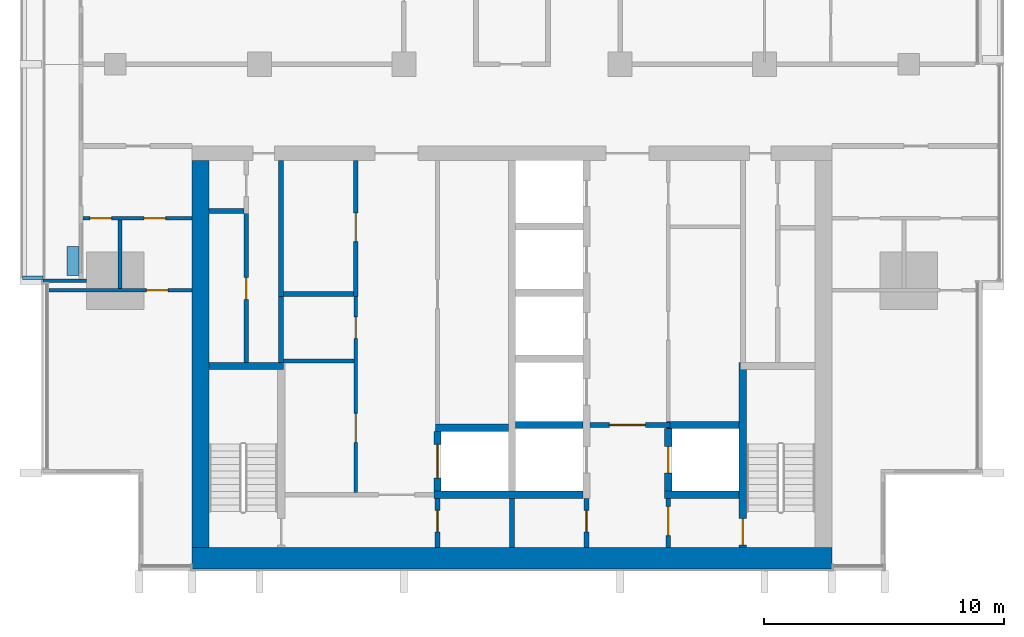
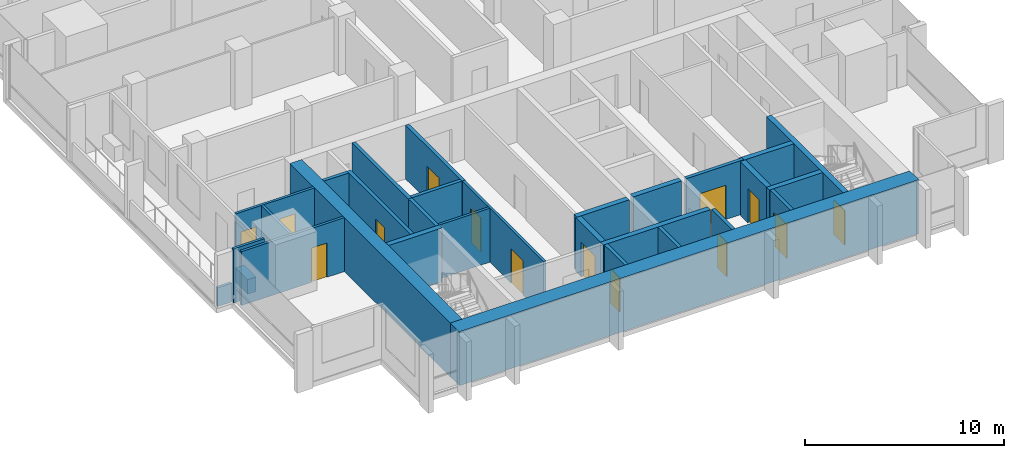
# One storey, part 7 of 16: 30 walls, 14 doors, 14 openings.
"""IFC4 building model written with IfcOpenShell, lengths in metres."""

from ifc_helpers import new_model, si_unit, direction, frame, frame_2d, origin, place, context, subcontext, project, spatial, rectangle, extrude, material, layer, layer_set, type_object, element, fill, save


model = new_model("IFC4")

# Units and contexts
model_context = context("Model", 3, precision=1e-05, world=origin(), true_north=direction((0.0, 1.0)))
body_context = subcontext(model_context, "Body", "Model", "MODEL_VIEW")
ifc_project = project(units=[si_unit("LENGTHUNIT", "METRE"), si_unit("AREAUNIT", "SQUARE_METRE"), si_unit("VOLUMEUNIT", "CUBIC_METRE"), si_unit("PLANEANGLEUNIT", "RADIAN"), si_unit("MASSUNIT", "GRAM", prefix="KILO")], contexts=[model_context])

# Site, building, storey
site_placement = place(None, origin())
site = spatial("IfcSite", under=ifc_project, at=site_placement, CompositionType="ELEMENT")
building_placement = place(site_placement, origin())
building = spatial("IfcBuilding", under=site, at=building_placement, Name="Finial Court Residences", CompositionType="ELEMENT")
storey_placement = place(building_placement, frame((0.0, 0.0, 188.89990234375)))
storey = spatial("IfcBuildingStorey", under=building, at=storey_placement, Name="L47", CompositionType="ELEMENT", Elevation=188.89990234375)

# Walls
ifc_material_1 = material(Name="Concrete C70/85", Category="concrete")
ifc_layer_1 = layer(ifc_material_1, 0.699951171875)
ifc_layer_set_1 = layer_set([ifc_layer_1], Name="Core outer wall 700 Concrete C70/85")
wall_type_1 = type_object("IfcWallType", Name="Core outer wall 700 Concrete C70/85", PredefinedType="SHEAR", material=ifc_layer_set_1)
wall_1_placement = place(storey_placement, frame((-12.949951171875, -24.60009765625, 0.0), z_axis=(0.0, 0.0, 1.0), x_axis=(0.0, 1.0, 0.0)))
element("IfcWall", 1, at=wall_1_placement, inside=storey, type_object=wall_type_1, Name="Core outer wall L47-03", PredefinedType="SHEAR", context=body_context, shape_type="SweptSolid", body=[
    extrude(rectangle(XDim=16.10009765625, YDim=0.699951171875, at=frame_2d((8.050048828125, 0.0))), origin(), (0.0, 0.0, 1.0), 3.300048828125),
])
ifc_material_2 = material(Name="Fire-rated gypsum board partition")
ifc_layer_2 = layer(ifc_material_2, 0.14990234375)
ifc_layer_set_2 = layer_set([ifc_layer_2], Name="Core room partition 150 EI 60")
wall_type_2 = type_object("IfcWallType", Name="Core room partition 150 EI 60", PredefinedType="PARTITIONING", material=ifc_layer_set_2)
wall_2_placement = place(storey_placement, frame((-9.5, -16.840087890625, 0.0), z_axis=(0.0, 0.0, 1.0), x_axis=(1.0, 0.0, 0.0)))
element("IfcWall", 2, at=wall_2_placement, inside=storey, type_object=wall_type_2, Name="Core partition L47-10", PredefinedType="PARTITIONING", context=body_context, shape_type="SweptSolid", body=[
    extrude(rectangle(XDim=2.925048828125, YDim=0.14990234375, at=frame_2d((1.46240234375, 0.0))), origin(), (0.0, 0.0, 1.0), 3.300048828125),
])

# Wall, openings, doors
wall_3_placement = place(storey_placement, frame((-6.5, -22.300048828125, 0.0), z_axis=(0.0, 0.0, 1.0), x_axis=(0.0, 1.0, 0.0)))
wall_3 = element("IfcWall", 3, at=wall_3_placement, inside=storey, type_object=wall_type_2, Name="Core partition L47-23", PredefinedType="PARTITIONING", context=body_context, shape_type="SweptSolid", body=[
    extrude(rectangle(XDim=8.14013671875, YDim=0.14990234375, at=frame_2d((4.070068359375, 0.0))), origin(), (0.0, 0.0, 1.0), 3.300048828125),
])
opening_1_placement = place(wall_3_placement, frame((2.080078125, 0.0, 0.0)))
opening_1 = element("IfcOpeningElement", 4, at=opening_1_placement, cuts=wall_3, Name="Opening L47-C15", PredefinedType="OPENING", context=body_context, shape_type="SweptSolid", body=[
    extrude(rectangle(XDim=1.199951171875, YDim=2.10009765625, at=frame_2d((0.60009765625, 1.050048828125))), frame((0.0, 0.0849609375, 0.0), z_axis=(0.0, -1.0, 0.0), x_axis=(1.0, 0.0, 0.0)), (0.0, 0.0, 1.0), 0.169921875),
])
opening_2_placement = place(wall_3_placement, frame((6.39990234375, 0.0, 0.0)))
opening_2 = element("IfcOpeningElement", 5, at=opening_2_placement, cuts=wall_3, Name="Opening L47-C16", PredefinedType="OPENING", context=body_context, shape_type="SweptSolid", body=[
    extrude(rectangle(XDim=0.89990234375, YDim=2.10009765625, at=frame_2d((0.449951171875, 1.050048828125))), frame((0.0, 0.0849609375, 0.0), z_axis=(0.0, -1.0, 0.0), x_axis=(1.0, 0.0, 0.0)), (0.0, 0.0, 1.0), 0.169921875),
])
ifc_material_3 = material(Name="Steel fire door", Category="steel")
door_type_1 = type_object("IfcDoorType", Name="Core room door 1200 x 2100 EI 60", OperationType="NOTDEFINED", PredefinedType="DOOR", material=ifc_material_3)
door_1_placement = place(opening_1_placement, origin())
door_1 = element("IfcDoor", 6, at=door_1_placement, inside=storey, type_object=door_type_1, Name="Core room door L47-C15", OperationType="SINGLE_SWING_LEFT", OverallHeight=2.10009765625, OverallWidth=1.199951171875, PredefinedType="DOOR", context=body_context, shape_type="SweptSolid", body=[
    extrude(rectangle(XDim=1.199951171875, YDim=2.10009765625, at=frame_2d((0.60009765625, 1.050048828125))), frame((0.0, 0.02490234375, 0.0), z_axis=(0.0, -1.0, 0.0), x_axis=(1.0, 0.0, 0.0)), (0.0, 0.0, 1.0), 0.050048828125),
])
fill(opening_1, door_1)
door_type_2 = type_object("IfcDoorType", Name="Core room door 900 x 2100 EI 60", OperationType="NOTDEFINED", PredefinedType="DOOR", material=ifc_material_3)
door_2_placement = place(opening_2_placement, origin())
door_2 = element("IfcDoor", 7, at=door_2_placement, inside=storey, type_object=door_type_2, Name="Core room door L47-C16", OperationType="SINGLE_SWING_RIGHT", OverallHeight=2.10009765625, OverallWidth=0.89990234375, PredefinedType="DOOR", context=body_context, shape_type="SweptSolid", body=[
    extrude(rectangle(XDim=0.89990234375, YDim=2.10009765625, at=frame_2d((0.449951171875, 1.050048828125))), frame((0.0, 0.02490234375, 0.0), z_axis=(0.0, -1.0, 0.0), x_axis=(1.0, 0.0, 0.0)), (0.0, 0.0, 1.0), 0.050048828125),
])
fill(opening_2, door_2)

# Wall
ifc_layer_3 = layer(ifc_material_1, 0.89990234375)
ifc_layer_set_3 = layer_set([ifc_layer_3], Name="Core south facade wall 900 Concrete C70/85")
wall_type_3 = type_object("IfcWallType", Name="Core south facade wall 900 Concrete C70/85", PredefinedType="SHEAR", material=ifc_layer_set_3)
wall_4_placement = place(storey_placement, frame((-13.300048828125, -25.050048828125, 0.0), z_axis=(0.0, 0.0, 1.0), x_axis=(1.0, 0.0, 0.0)))
element("IfcWall", 8, at=wall_4_placement, inside=storey, type_object=wall_type_3, Name="Core outer wall L47-01", PredefinedType="SHEAR", context=body_context, shape_type="SweptSolid", body=[
    extrude(rectangle(XDim=26.60009765625, YDim=0.89990234375, at=frame_2d((13.300048828125, 0.0))), origin(), (0.0, 0.0, 1.0), 3.300048828125),
])

# Wall, opening, door
ifc_layer_4 = layer(ifc_material_2, 0.199951171875)
ifc_layer_set_4 = layer_set([ifc_layer_4], Name="Firefighting lobby wall 200 EI 120")
wall_type_4 = type_object("IfcWallType", Name="Firefighting lobby wall 200 EI 120", PredefinedType="PARTITIONING", material=ifc_layer_set_4)
wall_5_placement = place(storey_placement, frame((6.574951171875, -19.5, 0.0), z_axis=(0.0, 0.0, 1.0), x_axis=(-1.0, 0.0, 0.0)))
wall_5 = element("IfcWall", 9, at=wall_5_placement, inside=storey, type_object=wall_type_4, Name="Core partition L47-06", PredefinedType="PARTITIONING", context=body_context, shape_type="SweptSolid", body=[
    extrude(rectangle(XDim=3.324951171875, YDim=0.199951171875, at=frame_2d((1.66259765625, 0.0))), origin(), (0.0, 0.0, 1.0), 3.300048828125),
])
opening_3_placement = place(wall_5_placement, frame((1.02490234375, 0.0, 0.0)))
opening_3 = element("IfcOpeningElement", 10, at=opening_3_placement, cuts=wall_5, Name="Opening L47-C02", PredefinedType="OPENING", context=body_context, shape_type="SweptSolid", body=[
    extrude(rectangle(XDim=1.5, YDim=2.10009765625, at=frame_2d((0.75, 1.050048828125))), frame((0.0, 0.10986328125, 0.0), z_axis=(0.0, -1.0, 0.0), x_axis=(1.0, 0.0, 0.0)), (0.0, 0.0, 1.0), 0.219970703125),
])
door_type_3 = type_object("IfcDoorType", Name="Firefighting lobby door 1500 x 2100 EI 90", OperationType="DOUBLE_DOOR_SINGLE_SWING", PredefinedType="DOOR", material=ifc_material_3)
door_3_placement = place(opening_3_placement, origin())
door_3 = element("IfcDoor", 11, at=door_3_placement, inside=storey, type_object=door_type_3, Name="Firefighting lobby door L47-C02", OperationType="DOUBLE_DOOR_SINGLE_SWING", OverallHeight=2.10009765625, OverallWidth=1.5, PredefinedType="DOOR", context=body_context, shape_type="SweptSolid", body=[
    extrude(rectangle(XDim=1.5, YDim=2.10009765625, at=frame_2d((0.75, 1.050048828125))), frame((0.0, 0.02490234375, 0.0), z_axis=(0.0, -1.0, 0.0), x_axis=(1.0, 0.0, 0.0)), (0.0, 0.0, 1.0), 0.050048828125),
])
fill(opening_3, door_3)

wall_6_placement = place(storey_placement, frame((3.10009765625, -24.60009765625, 0.0), z_axis=(0.0, 0.0, 1.0), x_axis=(0.0, 1.0, 0.0)))
wall_6 = element("IfcWall", 12, at=wall_6_placement, inside=storey, type_object=wall_type_4, Name="Core partition L47-30", PredefinedType="PARTITIONING", context=body_context, shape_type="SweptSolid", body=[
    extrude(rectangle(XDim=2.050048828125, YDim=0.199951171875, at=frame_2d((1.02490234375, 0.0))), origin(), (0.0, 0.0, 1.0), 3.300048828125),
])
opening_4_placement = place(wall_6_placement, frame((0.64990234375, 0.0, 0.0)))
opening_4 = element("IfcOpeningElement", 13, at=opening_4_placement, cuts=wall_6, Name="Opening L47-C06", PredefinedType="OPENING", context=body_context, shape_type="SweptSolid", body=[
    extrude(rectangle(XDim=0.89990234375, YDim=2.10009765625, at=frame_2d((0.449951171875, 1.050048828125))), frame((0.0, 0.10986328125, 0.0), z_axis=(0.0, -1.0, 0.0), x_axis=(1.0, 0.0, 0.0)), (0.0, 0.0, 1.0), 0.219970703125),
])
door_type_4 = type_object("IfcDoorType", Name="Riser room door 900 x 2100 EI 90", OperationType="NOTDEFINED", PredefinedType="DOOR", material=ifc_material_3)
door_4_placement = place(opening_4_placement, origin())
door_4 = element("IfcDoor", 14, at=door_4_placement, inside=storey, type_object=door_type_4, Name="Riser room door L47-C06", OperationType="SINGLE_SWING_LEFT", OverallHeight=2.10009765625, OverallWidth=0.89990234375, PredefinedType="DOOR", context=body_context, shape_type="SweptSolid", body=[
    extrude(rectangle(XDim=0.89990234375, YDim=2.10009765625, at=frame_2d((0.449951171875, 1.050048828125))), frame((0.0, 0.02490234375, 0.0), z_axis=(0.0, -1.0, 0.0), x_axis=(1.0, 0.0, 0.0)), (0.0, 0.0, 1.0), 0.050048828125),
])
fill(opening_4, door_4)

wall_7_placement = place(storey_placement, frame((6.5, -22.550048828125, 0.0), z_axis=(0.0, 0.0, 1.0), x_axis=(0.0, -1.0, 0.0)))
wall_7 = element("IfcWall", 15, at=wall_7_placement, inside=storey, type_object=wall_type_4, Name="Core partition L47-32", PredefinedType="PARTITIONING", context=body_context, shape_type="SweptSolid", body=[
    extrude(rectangle(XDim=2.050048828125, YDim=0.199951171875, at=frame_2d((1.02490234375, 0.0))), origin(), (0.0, 0.0, 1.0), 3.300048828125),
])
opening_5_placement = place(wall_7_placement, frame((0.35009765625, 0.0, 0.0)))
opening_5 = element("IfcOpeningElement", 16, at=opening_5_placement, cuts=wall_7, Name="Opening L47-C01", PredefinedType="OPENING", context=body_context, shape_type="SweptSolid", body=[
    extrude(rectangle(XDim=1.199951171875, YDim=2.10009765625, at=frame_2d((0.60009765625, 1.050048828125))), frame((0.0, 0.10986328125, 0.0), z_axis=(0.0, -1.0, 0.0), x_axis=(1.0, 0.0, 0.0)), (0.0, 0.0, 1.0), 0.219970703125),
])
door_type_5 = type_object("IfcDoorType", Name="Firefighting lobby door 1200 x 2100 EI 90", OperationType="NOTDEFINED", PredefinedType="DOOR", material=ifc_material_3)
door_5_placement = place(opening_5_placement, origin())
door_5 = element("IfcDoor", 17, at=door_5_placement, inside=storey, type_object=door_type_5, Name="Firefighting lobby door L47-C01", OperationType="SINGLE_SWING_RIGHT", OverallHeight=2.10009765625, OverallWidth=1.199951171875, PredefinedType="DOOR", context=body_context, shape_type="SweptSolid", body=[
    extrude(rectangle(XDim=1.199951171875, YDim=2.10009765625, at=frame_2d((0.60009765625, 1.050048828125))), frame((0.0, 0.02490234375, 0.0), z_axis=(0.0, -1.0, 0.0), x_axis=(1.0, 0.0, 0.0)), (0.0, 0.0, 1.0), 0.050048828125),
])
fill(opening_5, door_5)

ifc_material_4 = material(Name="Moisture-resistant gypsum board")
ifc_layer_5 = layer(ifc_material_4, 0.012451171875)
ifc_material_5 = material(Name="Mineral wool in light-gauge frame")
ifc_layer_6 = layer(ifc_material_5, 0.125)
ifc_layer_7 = layer(ifc_material_4, 0.012451171875)
ifc_layer_set_5 = layer_set([ifc_layer_5, ifc_layer_6, ifc_layer_7], Name="Gypsum board wet-area partition 150")
wall_type_5 = type_object("IfcWallType", Name="Gypsum board wet-area partition 150", PredefinedType="PARTITIONING", material=ifc_layer_set_5)
wall_8_placement = place(storey_placement, frame((-19.262451171875, -13.89990234375, 0.0), z_axis=(0.0, 0.0, 1.0), x_axis=(1.0, 0.0, 0.0)))
wall_8 = element("IfcWall", 18, at=wall_8_placement, inside=storey, type_object=wall_type_5, Name="Partition L47-000", PredefinedType="PARTITIONING", context=body_context, shape_type="SweptSolid", body=[
    extrude(rectangle(XDim=5.96240234375, YDim=0.14990234375, at=frame_2d((2.981201171875, 0.0))), origin(), (0.0, 0.0, 1.0), 3.300048828125),
])
opening_6_placement = place(wall_8_placement, frame((4.06201171875, 0.0, 0.0)))
opening_6 = element("IfcOpeningElement", 19, at=opening_6_placement, cuts=wall_8, Name="Opening L47-D001", PredefinedType="OPENING", context=body_context, shape_type="SweptSolid", body=[
    extrude(rectangle(XDim=0.89990234375, YDim=2.10009765625, at=frame_2d((0.449951171875, 1.050048828125))), frame((0.0, 0.0849609375, 0.0), z_axis=(0.0, -1.0, 0.0), x_axis=(1.0, 0.0, 0.0)), (0.0, 0.0, 1.0), 0.169921875),
])
ifc_material_6 = material(Name="Timber door leaf in timber frame", Category="wood")
door_type_6 = type_object("IfcDoorType", Name="Door set 900 x 2100", OperationType="SINGLE_SWING_LEFT", PredefinedType="DOOR", material=ifc_material_6)
door_6_placement = place(opening_6_placement, origin())
door_6 = element("IfcDoor", 20, at=door_6_placement, inside=storey, type_object=door_type_6, Name="Door L47-D001", OperationType="SINGLE_SWING_RIGHT", OverallHeight=2.10009765625, OverallWidth=0.89990234375, PredefinedType="DOOR", context=body_context, shape_type="SweptSolid", body=[
    extrude(rectangle(XDim=0.89990234375, YDim=2.10009765625, at=frame_2d((0.449951171875, 1.050048828125))), frame((0.0, 0.02490234375, 0.0), z_axis=(0.0, -1.0, 0.0), x_axis=(1.0, 0.0, 0.0)), (0.0, 0.0, 1.0), 0.050048828125),
])
fill(opening_6, door_6)

# Wall, openings, doors
wall_9_placement = place(storey_placement, frame((-17.85009765625, -10.89990234375, 0.0), z_axis=(0.0, 0.0, 1.0), x_axis=(1.0, 0.0, 0.0)))
wall_9 = element("IfcWall", 21, at=wall_9_placement, inside=storey, type_object=wall_type_5, Name="Partition L47-002", PredefinedType="PARTITIONING", context=body_context, shape_type="SweptSolid", body=[
    extrude(rectangle(XDim=4.550048828125, YDim=0.14990234375, at=frame_2d((2.27490234375, 0.0))), origin(), (0.0, 0.0, 1.0), 3.300048828125),
])
opening_7_placement = place(wall_9_placement, frame((0.300048828125, 0.0, 0.0)))
opening_7 = element("IfcOpeningElement", 22, at=opening_7_placement, cuts=wall_9, Name="Opening L47-D003", PredefinedType="OPENING", context=body_context, shape_type="SweptSolid", body=[
    extrude(rectangle(XDim=0.89990234375, YDim=2.10009765625, at=frame_2d((0.449951171875, 1.050048828125))), frame((0.0, 0.0849609375, 0.0), z_axis=(0.0, -1.0, 0.0), x_axis=(1.0, 0.0, 0.0)), (0.0, 0.0, 1.0), 0.169921875),
])
opening_8_placement = place(wall_9_placement, frame((2.550048828125, 0.0, 0.0)))
opening_8 = element("IfcOpeningElement", 23, at=opening_8_placement, cuts=wall_9, Name="Opening L47-D004", PredefinedType="OPENING", context=body_context, shape_type="SweptSolid", body=[
    extrude(rectangle(XDim=0.89990234375, YDim=2.10009765625, at=frame_2d((0.449951171875, 1.050048828125))), frame((0.0, 0.0849609375, 0.0), z_axis=(0.0, -1.0, 0.0), x_axis=(1.0, 0.0, 0.0)), (0.0, 0.0, 1.0), 0.169921875),
])
door_7_placement = place(opening_7_placement, origin())
door_7 = element("IfcDoor", 24, at=door_7_placement, inside=storey, type_object=door_type_6, Name="Door L47-D003", OperationType="SINGLE_SWING_LEFT", OverallHeight=2.10009765625, OverallWidth=0.89990234375, PredefinedType="DOOR", context=body_context, shape_type="SweptSolid", body=[
    extrude(rectangle(XDim=0.89990234375, YDim=2.10009765625, at=frame_2d((0.449951171875, 1.050048828125))), frame((0.0, 0.02490234375, 0.0), z_axis=(0.0, -1.0, 0.0), x_axis=(1.0, 0.0, 0.0)), (0.0, 0.0, 1.0), 0.050048828125),
])
fill(opening_7, door_7)
door_8_placement = place(opening_8_placement, origin())
door_8 = element("IfcDoor", 25, at=door_8_placement, inside=storey, type_object=door_type_6, Name="Door L47-D004", OperationType="SINGLE_SWING_RIGHT", OverallHeight=2.10009765625, OverallWidth=0.89990234375, PredefinedType="DOOR", context=body_context, shape_type="SweptSolid", body=[
    extrude(rectangle(XDim=0.89990234375, YDim=2.10009765625, at=frame_2d((0.449951171875, 1.050048828125))), frame((0.0, 0.02490234375, 0.0), z_axis=(0.0, -1.0, 0.0), x_axis=(1.0, 0.0, 0.0)), (0.0, 0.0, 1.0), 0.050048828125),
])
fill(opening_8, door_8)

# Walls
wall_10_placement = place(storey_placement, frame((-16.300048828125, -13.824951171875, 0.0), z_axis=(0.0, 0.0, 1.0), x_axis=(0.0, 1.0, 0.0)))
element("IfcWall", 26, at=wall_10_placement, inside=storey, type_object=wall_type_5, Name="Partition L47-026", PredefinedType="PARTITIONING", context=body_context, shape_type="SweptSolid", body=[
    extrude(rectangle(XDim=2.849853515625, YDim=0.14990234375, at=frame_2d((1.4248046875, 0.0))), origin(), (0.0, 0.0, 1.0), 3.300048828125),
])
ifc_material_7 = material(Name="Concrete C35/45", Category="concrete")
ifc_layer_8 = layer(ifc_material_7, 0.14990234375)
ifc_layer_set_6 = layer_set([ifc_layer_8], Name="Ledge parapet, Concrete C35/45 150")
wall_type_6 = type_object("IfcWallType", Name="Ledge parapet, Concrete C35/45 150", PredefinedType="PARAPET", material=ifc_layer_set_6)
wall_11_placement = place(storey_placement, frame((-19.510009765625, -13.375, 0.0), z_axis=(0.0, 0.0, 1.0), x_axis=(-1.0, 0.0, 0.0)))
element("IfcWall", 27, at=wall_11_placement, inside=storey, type_object=wall_type_6, Name="E-L47-LED1-P1", PredefinedType="PARAPET", context=body_context, shape_type="SweptSolid", body=[
    extrude(rectangle(XDim=0.840087890625, YDim=0.14990234375, at=frame_2d((0.419921875, 0.0))), origin(), (0.0, 0.0, 1.0), 1.150146484375),
])
ifc_layer_9 = layer(ifc_material_1, 0.300048828125)
ifc_layer_set_7 = layer_set([ifc_layer_9], Name="Lift shaft and stair wall 300 Concrete C70/85")
wall_type_7 = type_object("IfcWallType", Name="Lift shaft and stair wall 300 Concrete C70/85", PredefinedType="SHEAR", material=ifc_layer_set_7)
wall_12_placement = place(storey_placement, frame((-3.25, -22.39990234375, 0.0), z_axis=(0.0, 0.0, 1.0), x_axis=(1.0, 0.0, 0.0)))
element("IfcWall", 28, at=wall_12_placement, inside=storey, type_object=wall_type_7, Name="Core wall L47-02", PredefinedType="SHEAR", context=body_context, shape_type="SweptSolid", body=[
    extrude(rectangle(XDim=6.199951171875, YDim=0.300048828125, at=frame_2d((3.10009765625, 0.0))), origin(), (0.0, 0.0, 1.0), 3.300048828125),
])
wall_13_placement = place(storey_placement, frame((6.35009765625, -22.39990234375, 0.0), z_axis=(0.0, 0.0, 1.0), x_axis=(1.0, 0.0, 0.0)))
element("IfcWall", 29, at=wall_13_placement, inside=storey, type_object=wall_type_7, Name="Core wall L47-03", PredefinedType="SHEAR", context=body_context, shape_type="SweptSolid", body=[
    extrude(rectangle(XDim=3.099853515625, YDim=0.300048828125, at=frame_2d((1.5498046875, 0.0))), origin(), (0.0, 0.0, 1.0), 3.300048828125),
])
wall_14_placement = place(storey_placement, frame((-3.175048828125, -19.6201171875, 0.0), z_axis=(0.0, 0.0, 1.0), x_axis=(1.0, 0.0, 0.0)))
element("IfcWall", 30, at=wall_14_placement, inside=storey, type_object=wall_type_7, Name="Core wall L47-04", PredefinedType="SHEAR", context=body_context, shape_type="SweptSolid", body=[
    extrude(rectangle(XDim=3.025146484375, YDim=0.300048828125, at=frame_2d((1.5126953125, 0.0))), origin(), (0.0, 0.0, 1.0), 3.300048828125),
])
wall_15_placement = place(storey_placement, frame((0.14990234375, -19.5, 0.0), z_axis=(0.0, 0.0, 1.0), x_axis=(1.0, 0.0, 0.0)))
element("IfcWall", 31, at=wall_15_placement, inside=storey, type_object=wall_type_7, Name="Core wall L47-05", PredefinedType="SHEAR", context=body_context, shape_type="SweptSolid", body=[
    extrude(rectangle(XDim=2.800048828125, YDim=0.300048828125, at=frame_2d((1.39990234375, 0.0))), origin(), (0.0, 0.0, 1.0), 3.300048828125),
])
wall_16_placement = place(storey_placement, frame((6.425048828125, -19.5, 0.0), z_axis=(0.0, 0.0, 1.0), x_axis=(1.0, 0.0, 0.0)))
element("IfcWall", 32, at=wall_16_placement, inside=storey, type_object=wall_type_7, Name="Core wall L47-07", PredefinedType="SHEAR", context=body_context, shape_type="SweptSolid", body=[
    extrude(rectangle(XDim=3.02490234375, YDim=0.300048828125, at=frame_2d((1.512451171875, 0.0))), origin(), (0.0, 0.0, 1.0), 3.300048828125),
])
wall_17_placement = place(storey_placement, frame((-12.60009765625, -17.050048828125, 0.0), z_axis=(0.0, 0.0, 1.0), x_axis=(1.0, 0.0, 0.0)))
element("IfcWall", 33, at=wall_17_placement, inside=storey, type_object=wall_type_7, Name="Core wall L47-08", PredefinedType="SHEAR", context=body_context, shape_type="SweptSolid", body=[
    extrude(rectangle(XDim=3.10009765625, YDim=0.300048828125, at=frame_2d((1.550048828125, 0.0))), origin(), (0.0, 0.0, 1.0), 3.300048828125),
])

# Wall, opening, door
wall_18_placement = place(storey_placement, frame((-3.10009765625, -22.25, 0.0), z_axis=(0.0, 0.0, 1.0), x_axis=(0.0, 1.0, 0.0)))
wall_18 = element("IfcWall", 34, at=wall_18_placement, inside=storey, type_object=wall_type_7, Name="Core wall L47-26", PredefinedType="SHEAR", context=body_context, shape_type="SweptSolid", body=[
    extrude(rectangle(XDim=2.47998046875, YDim=0.300048828125, at=frame_2d((1.239990234375, 0.0))), origin(), (0.0, 0.0, 1.0), 3.300048828125),
])
opening_9_placement = place(wall_18_placement, frame((0.5400390625, 0.0, 0.0)))
opening_9 = element("IfcOpeningElement", 35, at=opening_9_placement, cuts=wall_18, Name="Opening L47-LD07", PredefinedType="OPENING", context=body_context, shape_type="SweptSolid", body=[
    extrude(rectangle(XDim=1.39990234375, YDim=2.10009765625, at=frame_2d((0.699951171875, 1.050048828125))), frame((0.0, 0.159912109375, 0.0), z_axis=(0.0, -1.0, 0.0), x_axis=(1.0, 0.0, 0.0)), (0.0, 0.0, 1.0), 0.320068359375),
])
ifc_material_8 = material(Name="Stainless steel lift door", Category="steel")
door_type_7 = type_object("IfcDoorType", Name="Lift landing door 1400 x 2100 EI 90", OperationType="DOUBLE_DOOR_SLIDING", PredefinedType="DOOR", material=ifc_material_8)
door_9_placement = place(opening_9_placement, origin())
door_9 = element("IfcDoor", 36, at=door_9_placement, inside=storey, type_object=door_type_7, Name="Lift landing door SV1 L47", OperationType="DOUBLE_DOOR_SLIDING", OverallHeight=2.10009765625, OverallWidth=1.39990234375, PredefinedType="DOOR", context=body_context, shape_type="SweptSolid", body=[
    extrude(rectangle(XDim=1.39990234375, YDim=2.10009765625, at=frame_2d((0.699951171875, 1.050048828125))), frame((0.0, 0.02490234375, 0.0), z_axis=(0.0, -1.0, 0.0), x_axis=(1.0, 0.0, 0.0)), (0.0, 0.0, 1.0), 0.050048828125),
])
fill(opening_9, door_9)

wall_19_placement = place(storey_placement, frame((6.5, -22.25, 0.0), z_axis=(0.0, 0.0, 1.0), x_axis=(0.0, 1.0, 0.0)))
wall_19 = element("IfcWall", 37, at=wall_19_placement, inside=storey, type_object=wall_type_7, Name="Core wall L47-33", PredefinedType="SHEAR", context=body_context, shape_type="SweptSolid", body=[
    extrude(rectangle(XDim=2.60009765625, YDim=0.300048828125, at=frame_2d((1.300048828125, 0.0))), origin(), (0.0, 0.0, 1.0), 3.300048828125),
])
opening_10_placement = place(wall_19_placement, frame((0.75, 0.0, 0.0)))
opening_10 = element("IfcOpeningElement", 38, at=opening_10_placement, cuts=wall_19, Name="Opening L47-LD02", PredefinedType="OPENING", context=body_context, shape_type="SweptSolid", body=[
    extrude(rectangle(XDim=1.10009765625, YDim=2.10009765625, at=frame_2d((0.550048828125, 1.050048828125))), frame((0.0, 0.159912109375, 0.0), z_axis=(0.0, -1.0, 0.0), x_axis=(1.0, 0.0, 0.0)), (0.0, 0.0, 1.0), 0.320068359375),
])
door_type_8 = type_object("IfcDoorType", Name="Lift landing door 1100 x 2100 EI 90", OperationType="DOUBLE_DOOR_SLIDING", PredefinedType="DOOR", material=ifc_material_8)
door_10_placement = place(opening_10_placement, origin())
door_10 = element("IfcDoor", 39, at=door_10_placement, inside=storey, type_object=door_type_8, Name="Lift landing door FF2 L47", OperationType="DOUBLE_DOOR_SLIDING", OverallHeight=2.10009765625, OverallWidth=1.10009765625, PredefinedType="DOOR", context=body_context, shape_type="SweptSolid", body=[
    extrude(rectangle(XDim=1.10009765625, YDim=2.10009765625, at=frame_2d((0.550048828125, 1.050048828125))), frame((0.0, 0.02490234375, 0.0), z_axis=(0.0, -1.0, 0.0), x_axis=(1.0, 0.0, 0.0)), (0.0, 0.0, 1.0), 0.050048828125),
])
fill(opening_10, door_10)

wall_20_placement = place(storey_placement, frame((9.60009765625, -16.89990234375, 0.0), z_axis=(0.0, 0.0, 1.0), x_axis=(0.0, -1.0, 0.0)))
wall_20 = element("IfcWall", 40, at=wall_20_placement, inside=storey, type_object=wall_type_7, Name="Core wall L47-35", PredefinedType="SHEAR", context=body_context, shape_type="SweptSolid", body=[
    extrude(rectangle(XDim=7.7001953125, YDim=0.300048828125, at=frame_2d((3.85009765625, 0.0))), origin(), (0.0, 0.0, 1.0), 3.300048828125),
])
opening_11_placement = place(wall_20_placement, frame((6.5, 0.0, 0.0)))
opening_11 = element("IfcOpeningElement", 41, at=opening_11_placement, cuts=wall_20, Name="Opening L47-C21", PredefinedType="OPENING", context=body_context, shape_type="SweptSolid", body=[
    extrude(rectangle(XDim=1.10009765625, YDim=2.10009765625, at=frame_2d((0.550048828125, 1.050048828125))), frame((0.0, 0.159912109375, 0.0), z_axis=(0.0, -1.0, 0.0), x_axis=(1.0, 0.0, 0.0)), (0.0, 0.0, 1.0), 0.320068359375),
])
door_type_9 = type_object("IfcDoorType", Name="Stair door 1100 x 2100 EI 90", OperationType="NOTDEFINED", PredefinedType="DOOR", material=ifc_material_3)
door_11_placement = place(opening_11_placement, origin())
door_11 = element("IfcDoor", 42, at=door_11_placement, inside=storey, type_object=door_type_9, Name="Stair door L47-C21", OperationType="SINGLE_SWING_RIGHT", OverallHeight=2.10009765625, OverallWidth=1.10009765625, PredefinedType="DOOR", context=body_context, shape_type="SweptSolid", body=[
    extrude(rectangle(XDim=1.10009765625, YDim=2.10009765625, at=frame_2d((0.550048828125, 1.050048828125))), frame((0.0, 0.02490234375, 0.0), z_axis=(0.0, -1.0, 0.0), x_axis=(1.0, 0.0, 0.0)), (0.0, 0.0, 1.0), 0.050048828125),
])
fill(opening_11, door_11)

# Walls
ifc_material_9 = material(Name="Natural limestone", Category="masonry")
ifc_layer_10 = layer(ifc_material_9, 0.14990234375)
ifc_layer_set_8 = layer_set([ifc_layer_10], Name="Limestone clad wall 150")
wall_type_8 = type_object("IfcWallType", Name="Limestone clad wall 150", PredefinedType="SOLIDWALL", material=ifc_layer_set_8)
wall_21_placement = place(storey_placement, frame((-17.699951171875, -13.5, 0.0), z_axis=(0.0, 0.0, 1.0), x_axis=(-1.0, 0.0, 0.0)))
element("IfcWall", 43, at=wall_21_placement, inside=storey, type_object=wall_type_8, Name="E-L47-BALW2-P1", PredefinedType="SOLIDWALL", context=body_context, shape_type="SweptSolid", body=[
    extrude(rectangle(XDim=1.800048828125, YDim=0.14990234375, at=frame_2d((0.89990234375, 0.0))), origin(), (0.0, 0.0, 1.0), 3.300048828125),
])
ifc_material_10 = material(Name="Concrete C40/50", Category="concrete")
ifc_layer_11 = layer(ifc_material_10, 0.10009765625)
ifc_material_11 = material(Name="Planting soil", Category="soil")
ifc_layer_12 = layer(ifc_material_11, 0.300048828125)
ifc_layer_13 = layer(ifc_material_10, 0.10009765625)
ifc_layer_set_9 = layer_set([ifc_layer_11, ifc_layer_12, ifc_layer_13], Name="Planter wall, balcony")
wall_type_9 = type_object("IfcWallType", Name="Planter wall, balcony", PredefinedType="USERDEFINED", material=ifc_layer_set_9)
wall_22_placement = place(storey_placement, frame((-18.25, -13.27490234375, 0.0), z_axis=(0.0, 0.0, 1.0), x_axis=(0.0, 1.0, 0.0)))
element("IfcWall", 44, at=wall_22_placement, inside=storey, type_object=wall_type_9, Name="E-L47-BALW2-PL", ObjectType="PLANTER", PredefinedType="USERDEFINED", context=body_context, shape_type="SweptSolid", body=[
    extrude(rectangle(XDim=1.199951171875, YDim=0.5, at=frame_2d((0.60009765625, 0.0))), origin(), (0.0, 0.0, 1.0), 0.900146484375),
])
ifc_layer_14 = layer(ifc_material_2, 0.199951171875)
ifc_layer_set_10 = layer_set([ifc_layer_14], Name="Riser room wall 200 EI 120")
wall_type_10 = type_object("IfcWallType", Name="Riser room wall 200 EI 120", PredefinedType="PARTITIONING", material=ifc_layer_set_10)
wall_23_placement = place(storey_placement, frame((-9.5, -14.06005859375, 0.0), z_axis=(0.0, 0.0, 1.0), x_axis=(1.0, 0.0, 0.0)))
element("IfcWall", 45, at=wall_23_placement, inside=storey, type_object=wall_type_10, Name="Core partition L47-12", PredefinedType="PARTITIONING", context=body_context, shape_type="SweptSolid", body=[
    extrude(rectangle(XDim=2.89990234375, YDim=0.199951171875, at=frame_2d((1.449951171875, 0.0))), origin(), (0.0, 0.0, 1.0), 3.300048828125),
])
wall_24_placement = place(storey_placement, frame((-12.60009765625, -10.60009765625, 0.0), z_axis=(0.0, 0.0, 1.0), x_axis=(1.0, 0.0, 0.0)))
element("IfcWall", 46, at=wall_24_placement, inside=storey, type_object=wall_type_10, Name="Core partition L47-17", PredefinedType="PARTITIONING", context=body_context, shape_type="SweptSolid", body=[
    extrude(rectangle(XDim=1.4501953125, YDim=0.199951171875, at=frame_2d((0.72509765625, 0.0))), origin(), (0.0, 0.0, 1.0), 3.300048828125),
])
wall_25_placement = place(storey_placement, frame((-9.60009765625, -14.159912109375, 0.0), z_axis=(0.0, 0.0, 1.0), x_axis=(0.0, 1.0, 0.0)))
element("IfcWall", 47, at=wall_25_placement, inside=storey, type_object=wall_type_10, Name="Core partition L47-22", PredefinedType="PARTITIONING", context=body_context, shape_type="SweptSolid", body=[
    extrude(rectangle(XDim=5.659912109375, YDim=0.199951171875, at=frame_2d((2.830078125, 0.0))), origin(), (0.0, 0.0, 1.0), 3.300048828125),
])

# Wall, opening, door
wall_26_placement = place(storey_placement, frame((-6.5, -14.159912109375, 0.0), z_axis=(0.0, 0.0, 1.0), x_axis=(0.0, 1.0, 0.0)))
wall_26 = element("IfcWall", 48, at=wall_26_placement, inside=storey, type_object=wall_type_10, Name="Core partition L47-24", PredefinedType="PARTITIONING", context=body_context, shape_type="SweptSolid", body=[
    extrude(rectangle(XDim=5.659912109375, YDim=0.199951171875, at=frame_2d((2.830078125, 0.0))), origin(), (0.0, 0.0, 1.0), 3.300048828125),
])
opening_12_placement = place(wall_26_placement, frame((2.280029296875, 0.0, 0.0)))
opening_12 = element("IfcOpeningElement", 49, at=opening_12_placement, cuts=wall_26, Name="Opening L47-C09", PredefinedType="OPENING", context=body_context, shape_type="SweptSolid", body=[
    extrude(rectangle(XDim=1.199951171875, YDim=2.10009765625, at=frame_2d((0.60009765625, 1.050048828125))), frame((0.0, 0.10986328125, 0.0), z_axis=(0.0, -1.0, 0.0), x_axis=(1.0, 0.0, 0.0)), (0.0, 0.0, 1.0), 0.219970703125),
])
door_type_10 = type_object("IfcDoorType", Name="Riser room door 1200 x 2100 EI 90", OperationType="NOTDEFINED", PredefinedType="DOOR", material=ifc_material_3)
door_12_placement = place(opening_12_placement, origin())
door_12 = element("IfcDoor", 50, at=door_12_placement, inside=storey, type_object=door_type_10, Name="Riser room door L47-C09", OperationType="SINGLE_SWING_RIGHT", OverallHeight=2.10009765625, OverallWidth=1.199951171875, PredefinedType="DOOR", context=body_context, shape_type="SweptSolid", body=[
    extrude(rectangle(XDim=1.199951171875, YDim=2.10009765625, at=frame_2d((0.60009765625, 1.050048828125))), frame((0.0, 0.02490234375, 0.0), z_axis=(0.0, -1.0, 0.0), x_axis=(1.0, 0.0, 0.0)), (0.0, 0.0, 1.0), 0.050048828125),
])
fill(opening_12, door_12)

# Wall
wall_27_placement = place(storey_placement, frame((0.0, -24.60009765625, 0.0), z_axis=(0.0, 0.0, 1.0), x_axis=(0.0, 1.0, 0.0)))
element("IfcWall", 51, at=wall_27_placement, inside=storey, type_object=wall_type_10, Name="Core partition L47-28", PredefinedType="PARTITIONING", context=body_context, shape_type="SweptSolid", body=[
    extrude(rectangle(XDim=2.050048828125, YDim=0.199951171875, at=frame_2d((1.02490234375, 0.0))), origin(), (0.0, 0.0, 1.0), 3.300048828125),
])

# Wall, opening, door
ifc_layer_15 = layer(ifc_material_2, 0.199951171875)
ifc_layer_set_11 = layer_set([ifc_layer_15], Name="Stair passage wall 200 EI 180")
wall_type_11 = type_object("IfcWallType", Name="Stair passage wall 200 EI 180", PredefinedType="PARTITIONING", material=ifc_layer_set_11)
wall_28_placement = place(storey_placement, frame((-11.050048828125, -16.89990234375, 0.0), z_axis=(0.0, 0.0, 1.0), x_axis=(0.0, 1.0, 0.0)))
wall_28 = element("IfcWall", 52, at=wall_28_placement, inside=storey, type_object=wall_type_11, Name="Core partition L47-18", PredefinedType="PARTITIONING", context=body_context, shape_type="SweptSolid", body=[
    extrude(rectangle(XDim=6.39990234375, YDim=0.199951171875, at=frame_2d((3.199951171875, 0.0))), origin(), (0.0, 0.0, 1.0), 3.300048828125),
])
opening_13_placement = place(wall_28_placement, frame((2.625, 0.0, 0.0)))
opening_13 = element("IfcOpeningElement", 53, at=opening_13_placement, cuts=wall_28, Name="Opening L47-C13", PredefinedType="OPENING", context=body_context, shape_type="SweptSolid", body=[
    extrude(rectangle(XDim=0.89990234375, YDim=2.10009765625, at=frame_2d((0.449951171875, 1.050048828125))), frame((0.0, 0.10986328125, 0.0), z_axis=(0.0, -1.0, 0.0), x_axis=(1.0, 0.0, 0.0)), (0.0, 0.0, 1.0), 0.219970703125),
])
door_13_placement = place(opening_13_placement, origin())
door_13 = element("IfcDoor", 54, at=door_13_placement, inside=storey, type_object=door_type_2, Name="Core room door L47-C13", OperationType="SINGLE_SWING_RIGHT", OverallHeight=2.10009765625, OverallWidth=0.89990234375, PredefinedType="DOOR", context=body_context, shape_type="SweptSolid", body=[
    extrude(rectangle(XDim=0.89990234375, YDim=2.10009765625, at=frame_2d((0.449951171875, 1.050048828125))), frame((0.0, 0.02490234375, 0.0), z_axis=(0.0, -1.0, 0.0), x_axis=(1.0, 0.0, 0.0)), (0.0, 0.0, 1.0), 0.050048828125),
])
fill(opening_13, door_13)

# Wall
wall_29_placement = place(storey_placement, frame((-9.60009765625, -16.89990234375, 0.0), z_axis=(0.0, 0.0, 1.0), x_axis=(0.0, 1.0, 0.0)))
element("IfcWall", 55, at=wall_29_placement, inside=storey, type_object=wall_type_11, Name="Core partition L47-21", PredefinedType="PARTITIONING", context=body_context, shape_type="SweptSolid", body=[
    extrude(rectangle(XDim=2.739990234375, YDim=0.199951171875, at=frame_2d((1.3701171875, 0.0))), origin(), (0.0, 0.0, 1.0), 3.300048828125),
])

# Wall, opening, door
wall_30_placement = place(storey_placement, frame((-3.10009765625, -22.550048828125, 0.0), z_axis=(0.0, 0.0, 1.0), x_axis=(0.0, -1.0, 0.0)))
wall_30 = element("IfcWall", 56, at=wall_30_placement, inside=storey, type_object=wall_type_11, Name="Core partition L47-25", PredefinedType="PARTITIONING", context=body_context, shape_type="SweptSolid", body=[
    extrude(rectangle(XDim=2.050048828125, YDim=0.199951171875, at=frame_2d((1.02490234375, 0.0))), origin(), (0.0, 0.0, 1.0), 3.300048828125),
])
opening_14_placement = place(wall_30_placement, frame((0.5, 0.0, 0.0)))
opening_14 = element("IfcOpeningElement", 57, at=opening_14_placement, cuts=wall_30, Name="Opening L47-C12", PredefinedType="OPENING", context=body_context, shape_type="SweptSolid", body=[
    extrude(rectangle(XDim=0.89990234375, YDim=2.10009765625, at=frame_2d((0.449951171875, 1.050048828125))), frame((0.0, 0.10986328125, 0.0), z_axis=(0.0, -1.0, 0.0), x_axis=(1.0, 0.0, 0.0)), (0.0, 0.0, 1.0), 0.219970703125),
])
door_14_placement = place(opening_14_placement, origin())
door_14 = element("IfcDoor", 58, at=door_14_placement, inside=storey, type_object=door_type_2, Name="Core room door L47-C12", OperationType="SINGLE_SWING_RIGHT", OverallHeight=2.10009765625, OverallWidth=0.89990234375, PredefinedType="DOOR", context=body_context, shape_type="SweptSolid", body=[
    extrude(rectangle(XDim=0.89990234375, YDim=2.10009765625, at=frame_2d((0.449951171875, 1.050048828125))), frame((0.0, 0.02490234375, 0.0), z_axis=(0.0, -1.0, 0.0), x_axis=(1.0, 0.0, 0.0)), (0.0, 0.0, 1.0), 0.050048828125),
])
fill(opening_14, door_14)

save(model, "model.ifc")
